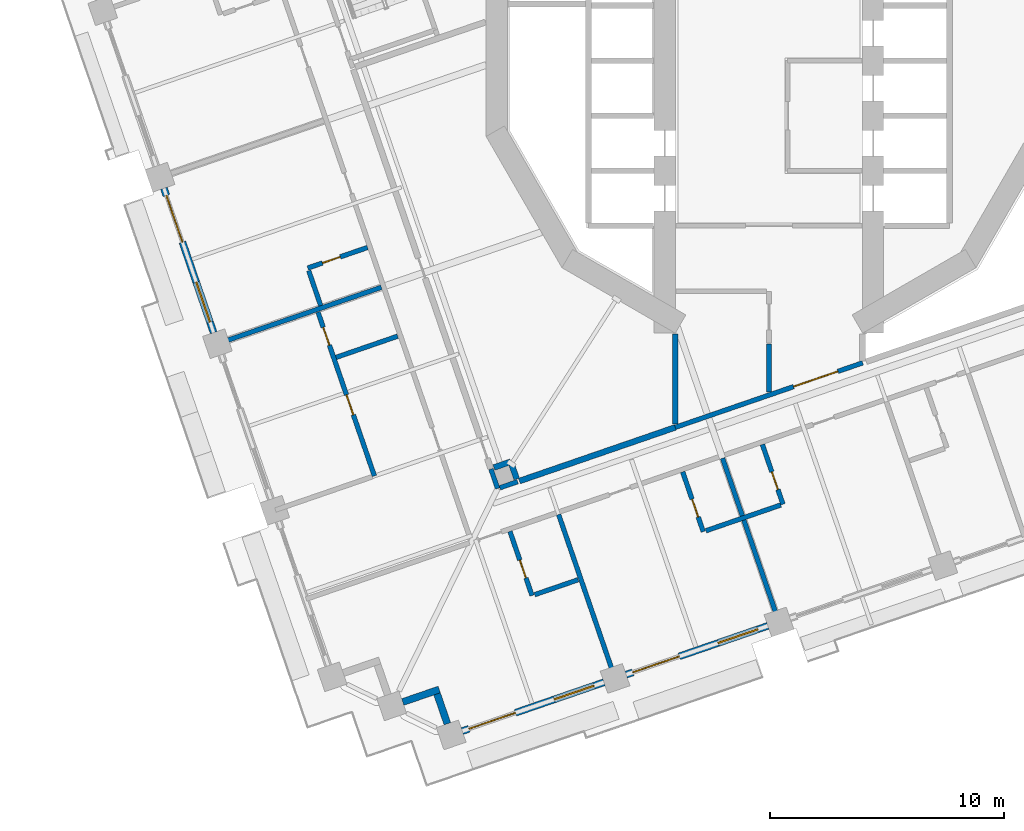
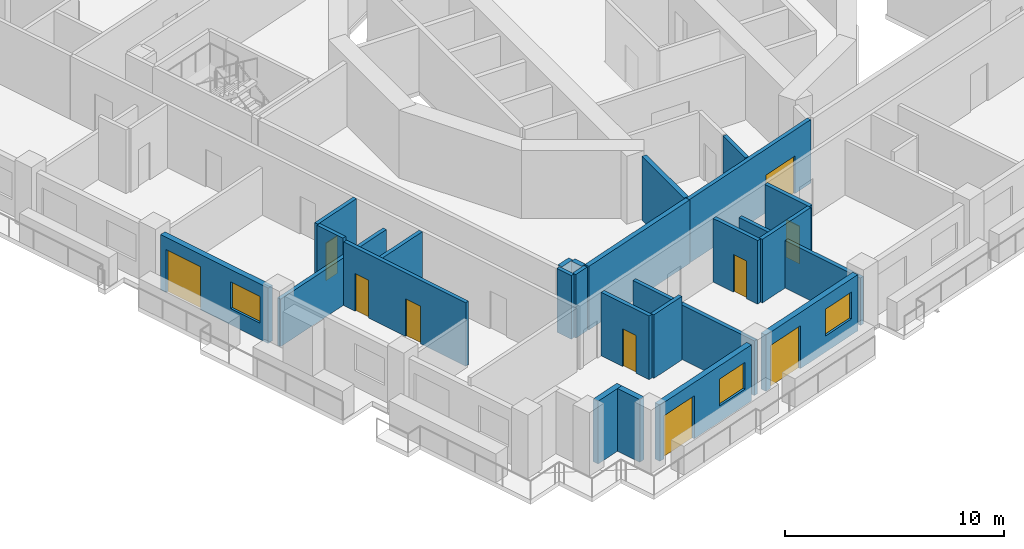
# One storey, part 8 of 22: 25 walls, 10 doors, 3 windows, 13 openings.
"""IFC4 building model written with IfcOpenShell, lengths in metres."""

from ifc_helpers import new_model, si_unit, direction, frame, frame_2d, origin, place, context, subcontext, project, spatial, rectangle, extrude, material, layer, layer_set, type_object, element, fill, save


model = new_model("IFC4")

# Units and contexts
model_context = context("Model", 3, precision=1e-05, world=origin(), true_north=direction((0.0, 1.0)))
body_context = subcontext(model_context, "Body", "Model", "MODEL_VIEW")
ifc_project = project(units=[si_unit("LENGTHUNIT", "METRE"), si_unit("AREAUNIT", "SQUARE_METRE"), si_unit("VOLUMEUNIT", "CUBIC_METRE"), si_unit("PLANEANGLEUNIT", "RADIAN"), si_unit("MASSUNIT", "GRAM", prefix="KILO")], contexts=[model_context])

# Site, building, storey
site_placement = place(None, origin())
site = spatial("IfcSite", under=ifc_project, at=site_placement, CompositionType="ELEMENT")
building_placement = place(site_placement, origin())
building = spatial("IfcBuilding", under=site, at=building_placement, Name="Cantera Rosa Tower", CompositionType="ELEMENT")
storey_placement = place(building_placement, frame((0.0, 0.0, 115.5)))
storey = spatial("IfcBuildingStorey", under=building, at=storey_placement, Name="L23", CompositionType="ELEMENT", Elevation=115.5)

# Walls
ifc_material_1 = material(Name="Gypsum board partition")
ifc_layer_1 = layer(ifc_material_1, 0.199951171875)
ifc_layer_set_1 = layer_set([ifc_layer_1], Name="CORRIDOR WALL 200 H3550")
wall_type_1 = type_object("IfcWallType", Name="CORRIDOR WALL 200 H3550", PredefinedType="PARTITIONING", material=ifc_layer_set_1)
wall_1_placement = place(storey_placement, frame((-11.87060546875, -17.4345703125, 0.0), z_axis=(0.0, 0.0, 1.0), x_axis=(0.325699973339, -0.94547317644, 0.0)))
element("IfcWall", 1, at=wall_1_placement, inside=storey, type_object=wall_type_1, Name="CORRIDOR WALL L23-030", PredefinedType="PARTITIONING", context=body_context, shape_type="SweptSolid", body=[
    extrude(rectangle(XDim=0.880126953125, YDim=0.199951171875, at=frame_2d((0.43994140625, 0.0))), origin(), (0.0, 0.0, 1.0), 3.550048828125),
])
wall_2_placement = place(storey_placement, frame((-11.489501953125, -18.23388671875, 0.0), z_axis=(0.0, 0.0, 1.0), x_axis=(0.945586856903, 0.325369783557, 0.0)))
element("IfcWall", 2, at=wall_2_placement, inside=storey, type_object=wall_type_1, Name="CORRIDOR WALL L23-031", PredefinedType="PARTITIONING", context=body_context, shape_type="SweptSolid", body=[
    extrude(rectangle(XDim=0.7998046875, YDim=0.199951171875, at=frame_2d((0.39990234375, 0.0))), origin(), (0.0, 0.0, 1.0), 3.550048828125),
])

# Wall, opening, door
wall_3_placement = place(storey_placement, frame((-4.0, -15.6552734375, 0.0), z_axis=(0.0, 0.0, 1.0), x_axis=(0.945517929243, 0.325570031606, 0.0)))
wall_3 = element("IfcWall", 3, at=wall_3_placement, inside=storey, type_object=wall_type_1, Name="CORRIDOR WALL L23-048", PredefinedType="PARTITIONING", context=body_context, shape_type="SweptSolid", body=[
    extrude(rectangle(XDim=8.4609375, YDim=0.199951171875, at=frame_2d((4.23046875, 0.0))), origin(), (0.0, 0.0, 1.0), 3.550048828125),
])
opening_1_placement = place(wall_3_placement, frame((5.345703125, 0.0, 0.0)))
opening_1 = element("IfcOpeningElement", 4, at=opening_1_placement, cuts=wall_3, Name="Opening L23-009", PredefinedType="OPENING", context=body_context, shape_type="SweptSolid", body=[
    extrude(rectangle(XDim=2.0, YDim=2.10009765625, at=frame_2d((1.0, 1.050048828125))), frame((0.0, 0.10986328125, 0.0), z_axis=(0.0, -1.0, 0.0), x_axis=(1.0, 0.0, 0.0)), (0.0, 0.0, 1.0), 0.219970703125),
])
ifc_material_2 = material(Name="Steel S355J2 (EN 10025-2)", Category="steel")
door_type_1 = type_object("IfcDoorType", Name="LOBBY SCREEN DOOR 2000x2100", OperationType="NOTDEFINED", PredefinedType="DOOR", material=ifc_material_2)
door_1_placement = place(opening_1_placement, origin())
door_1 = element("IfcDoor", 5, at=door_1_placement, inside=storey, type_object=door_type_1, Name="DOOR L23-009", OperationType="NOTDEFINED", OverallHeight=2.10009765625, OverallWidth=2.0, PredefinedType="DOOR", context=body_context, shape_type="SweptSolid", body=[
    extrude(rectangle(XDim=2.0, YDim=2.10009765625, at=frame_2d((1.0, 1.050048828125))), frame((0.0, 0.02490234375, 0.0), z_axis=(0.0, -1.0, 0.0), x_axis=(1.0, 0.0, 0.0)), (0.0, 0.0, 1.0), 0.050048828125),
])
fill(opening_1, door_1)

# Walls
wall_4_placement = place(storey_placement, frame((0.0, -14.137939453125, 0.0), z_axis=(0.0, 0.0, 1.0), x_axis=(0.0, 1.0, 0.0)))
element("IfcWall", 6, at=wall_4_placement, inside=storey, type_object=wall_type_1, Name="CORRIDOR WALL L23-060", PredefinedType="PARTITIONING", context=body_context, shape_type="SweptSolid", body=[
    extrude(rectangle(XDim=2.033935546875, YDim=0.199951171875, at=frame_2d((1.01708984375, 0.0))), origin(), (0.0, 0.0, 1.0), 3.550048828125),
])
ifc_material_3 = material(Name="Hollow clay masonry with cantera stone cladding", Category="masonry")
ifc_layer_2 = layer(ifc_material_3, 0.300048828125)
ifc_layer_set_2 = layer_set([ifc_layer_2], Name="EW-LOGGIA 300")
wall_type_2 = type_object("IfcWallType", Name="EW-LOGGIA 300", PredefinedType="SOLIDWALL", material=ifc_layer_set_2)
wall_5_placement = place(storey_placement, frame((-15.636962890625, -27.3828125, 0.0), z_axis=(0.0, 0.0, 1.0), x_axis=(0.945484566827, 0.325666906351, 0.0)))
element("IfcWall", 7, at=wall_5_placement, inside=storey, type_object=wall_type_2, Name="EN-L23-W22a", PredefinedType="SOLIDWALL", context=body_context, shape_type="SweptSolid", body=[
    extrude(rectangle(XDim=1.64990234375, YDim=0.300048828125, at=frame_2d((0.824951171875, 0.0))), origin(), (0.0, 0.0, 1.0), 3.5),
])
wall_6_placement = place(storey_placement, frame((-14.169921875, -27.0361328125, 0.0), z_axis=(0.0, 0.0, 1.0), x_axis=(0.325650742363, -0.945490134268, 0.0)))
element("IfcWall", 8, at=wall_6_placement, inside=storey, type_object=wall_type_2, Name="EN-L23-W22b", PredefinedType="SOLIDWALL", context=body_context, shape_type="SweptSolid", body=[
    extrude(rectangle(XDim=1.35009765625, YDim=0.300048828125, at=frame_2d((0.675048828125, 0.0))), origin(), (0.0, 0.0, 1.0), 3.5),
])

# Wall, openings, window, door
ifc_material_4 = material(Name="Hollow clay masonry with cantera stone cladding", Category="masonry")
ifc_layer_3 = layer(ifc_material_4, 0.300048828125)
ifc_layer_set_3 = layer_set([ifc_layer_3], Name="EW-LOGGIA 300 H3090")
wall_type_3 = type_object("IfcWallType", Name="EW-LOGGIA 300 H3090", PredefinedType="SOLIDWALL", material=ifc_layer_set_3)
wall_7_placement = place(storey_placement, frame((-25.833984375, -5.447509765625, 0.0), z_axis=(0.0, 0.0, 1.0), x_axis=(0.325580990241, -0.945514155787, 0.0)))
wall_7 = element("IfcWall", 9, at=wall_7_placement, inside=storey, type_object=wall_type_3, Name="EN-L23-W18", PredefinedType="SOLIDWALL", context=body_context, shape_type="SweptSolid", body=[
    extrude(rectangle(XDim=6.52001953125, YDim=0.300048828125, at=frame_2d((3.260009765625, 0.0))), origin(), (0.0, 0.0, 1.0), 3.090087890625),
])
opening_2_placement = place(wall_7_placement, frame((0.330078125, 0.0, 0.0)))
opening_2 = element("IfcOpeningElement", 10, at=opening_2_placement, cuts=wall_7, Name="Opening L23-TD23", PredefinedType="OPENING", context=body_context, shape_type="SweptSolid", body=[
    extrude(rectangle(XDim=2.10009765625, YDim=2.39990234375, at=frame_2d((1.050048828125, 1.199951171875))), frame((0.0, 0.159912109375, 0.0), z_axis=(0.0, -1.0, 0.0), x_axis=(1.0, 0.0, 0.0)), (0.0, 0.0, 1.0), 0.320068359375),
])
opening_3_placement = place(wall_7_placement, frame((4.239990234375, 0.0, 0.89990234375)))
opening_3 = element("IfcOpeningElement", 11, at=opening_3_placement, cuts=wall_7, Name="Opening L23-W24", PredefinedType="OPENING", context=body_context, shape_type="SweptSolid", body=[
    extrude(rectangle(XDim=1.800048828125, YDim=1.5, at=frame_2d((0.89990234375, 0.75))), frame((0.0, 0.159912109375, 0.0), z_axis=(0.0, -1.0, 0.0), x_axis=(1.0, 0.0, 0.0)), (0.0, 0.0, 1.0), 0.320068359375),
])
ifc_material_5 = material(Name="Aluminium frame with clear glass", Category="aluminium")
window_type = type_object("IfcWindowType", Name="Hotel room window 1800x1500", PartitioningType="DOUBLE_PANEL_VERTICAL", PredefinedType="WINDOW", material=ifc_material_5)
window_1_placement = place(opening_3_placement, origin())
window_1 = element("IfcWindow", 12, at=window_1_placement, inside=storey, type_object=window_type, Name="WINDOW L23-W24", OverallHeight=1.5, OverallWidth=1.800048828125, PartitioningType="SINGLE_PANEL", PredefinedType="WINDOW", context=body_context, shape_type="SweptSolid", body=[
    extrude(rectangle(XDim=1.800048828125, YDim=1.5, at=frame_2d((0.89990234375, 0.75))), frame((0.0, 0.030029296875, 0.0), z_axis=(0.0, -1.0, 0.0), x_axis=(1.0, 0.0, 0.0)), (0.0, 0.0, 1.0), 0.06005859375),
])
fill(opening_3, window_1)
ifc_material_6 = material(Name="Aluminium frame with clear glass", Category="aluminium")
door_type_2 = type_object("IfcDoorType", Name="TD-H 2100x2400", OperationType="NOTDEFINED", PredefinedType="DOOR", material=ifc_material_6)
door_2_placement = place(opening_2_placement, origin())
door_2 = element("IfcDoor", 13, at=door_2_placement, inside=storey, type_object=door_type_2, Name="LOGGIA DOOR L23-TD23", OperationType="SLIDING_TO_LEFT", OverallHeight=2.39990234375, OverallWidth=2.10009765625, PredefinedType="DOOR", context=body_context, shape_type="SweptSolid", body=[
    extrude(rectangle(XDim=2.10009765625, YDim=2.39990234375, at=frame_2d((1.050048828125, 1.199951171875))), frame((0.0, 0.02490234375, 0.0), z_axis=(0.0, -1.0, 0.0), x_axis=(1.0, 0.0, 0.0)), (0.0, 0.0, 1.0), 0.050048828125),
])
fill(opening_2, door_2)

ifc_material_7 = material(Name="Hollow clay masonry with cantera stone cladding", Category="masonry")
ifc_layer_4 = layer(ifc_material_7, 0.300048828125)
ifc_layer_set_4 = layer_set([ifc_layer_4], Name="EW-LOGGIA 300 H3140")
wall_type_4 = type_object("IfcWallType", Name="EW-LOGGIA 300 H3140", PredefinedType="SOLIDWALL", material=ifc_layer_set_4)
wall_8_placement = place(storey_placement, frame((-13.0947265625, -28.62255859375, 0.0), z_axis=(0.0, 0.0, 1.0), x_axis=(0.945524496524, 0.325550958337, 0.0)))
wall_8 = element("IfcWall", 14, at=wall_8_placement, inside=storey, type_object=wall_type_4, Name="EN-L23-W23", PredefinedType="SOLIDWALL", context=body_context, shape_type="SweptSolid", body=[
    extrude(rectangle(XDim=6.39990234375, YDim=0.300048828125, at=frame_2d((3.199951171875, 0.0))), origin(), (0.0, 0.0, 1.0), 3.139892578125),
])
opening_4_placement = place(wall_8_placement, frame((0.300048828125, 0.0, 0.0)))
opening_4 = element("IfcOpeningElement", 15, at=opening_4_placement, cuts=wall_8, Name="Opening L23-TD29", PredefinedType="OPENING", context=body_context, shape_type="SweptSolid", body=[
    extrude(rectangle(XDim=2.10009765625, YDim=2.39990234375, at=frame_2d((1.050048828125, 1.199951171875))), frame((0.0, 0.159912109375, 0.0), z_axis=(0.0, -1.0, 0.0), x_axis=(1.0, 0.0, 0.0)), (0.0, 0.0, 1.0), 0.320068359375),
])
opening_5_placement = place(wall_8_placement, frame((4.14990234375, 0.0, 0.89990234375)))
opening_5 = element("IfcOpeningElement", 16, at=opening_5_placement, cuts=wall_8, Name="Opening L23-W30", PredefinedType="OPENING", context=body_context, shape_type="SweptSolid", body=[
    extrude(rectangle(XDim=1.800048828125, YDim=1.5, at=frame_2d((0.89990234375, 0.75))), frame((0.0, 0.159912109375, 0.0), z_axis=(0.0, -1.0, 0.0), x_axis=(1.0, 0.0, 0.0)), (0.0, 0.0, 1.0), 0.320068359375),
])
window_2_placement = place(opening_5_placement, origin())
window_2 = element("IfcWindow", 17, at=window_2_placement, inside=storey, type_object=window_type, Name="WINDOW L23-W30", OverallHeight=1.5, OverallWidth=1.800048828125, PartitioningType="SINGLE_PANEL", PredefinedType="WINDOW", context=body_context, shape_type="SweptSolid", body=[
    extrude(rectangle(XDim=1.800048828125, YDim=1.5, at=frame_2d((0.89990234375, 0.75))), frame((0.0, 0.030029296875, 0.0), z_axis=(0.0, -1.0, 0.0), x_axis=(1.0, 0.0, 0.0)), (0.0, 0.0, 1.0), 0.06005859375),
])
fill(opening_5, window_2)
door_3_placement = place(opening_4_placement, origin())
door_3 = element("IfcDoor", 18, at=door_3_placement, inside=storey, type_object=door_type_2, Name="LOGGIA DOOR L23-TD29", OperationType="SLIDING_TO_LEFT", OverallHeight=2.39990234375, OverallWidth=2.10009765625, PredefinedType="DOOR", context=body_context, shape_type="SweptSolid", body=[
    extrude(rectangle(XDim=2.10009765625, YDim=2.39990234375, at=frame_2d((1.050048828125, 1.199951171875))), frame((0.0, 0.02490234375, 0.0), z_axis=(0.0, -1.0, 0.0), x_axis=(1.0, 0.0, 0.0)), (0.0, 0.0, 1.0), 0.050048828125),
])
fill(opening_4, door_3)

wall_9_placement = place(storey_placement, frame((-6.097900390625, -26.21337890625, 0.0), z_axis=(0.0, 0.0, 1.0), x_axis=(0.945524496524, 0.325550958337, 0.0)))
wall_9 = element("IfcWall", 19, at=wall_9_placement, inside=storey, type_object=wall_type_4, Name="EN-L23-W24", PredefinedType="SOLIDWALL", context=body_context, shape_type="SweptSolid", body=[
    extrude(rectangle(XDim=6.39990234375, YDim=0.300048828125, at=frame_2d((3.199951171875, 0.0))), origin(), (0.0, 0.0, 1.0), 3.139892578125),
])
opening_6_placement = place(wall_9_placement, frame((0.300048828125, 0.0, 0.0)))
opening_6 = element("IfcOpeningElement", 20, at=opening_6_placement, cuts=wall_9, Name="Opening L23-TD31", PredefinedType="OPENING", context=body_context, shape_type="SweptSolid", body=[
    extrude(rectangle(XDim=2.10009765625, YDim=2.39990234375, at=frame_2d((1.050048828125, 1.199951171875))), frame((0.0, 0.159912109375, 0.0), z_axis=(0.0, -1.0, 0.0), x_axis=(1.0, 0.0, 0.0)), (0.0, 0.0, 1.0), 0.320068359375),
])
opening_7_placement = place(wall_9_placement, frame((4.14990234375, 0.0, 0.89990234375)))
opening_7 = element("IfcOpeningElement", 21, at=opening_7_placement, cuts=wall_9, Name="Opening L23-W32", PredefinedType="OPENING", context=body_context, shape_type="SweptSolid", body=[
    extrude(rectangle(XDim=1.800048828125, YDim=1.5, at=frame_2d((0.89990234375, 0.75))), frame((0.0, 0.159912109375, 0.0), z_axis=(0.0, -1.0, 0.0), x_axis=(1.0, 0.0, 0.0)), (0.0, 0.0, 1.0), 0.320068359375),
])
window_3_placement = place(opening_7_placement, origin())
window_3 = element("IfcWindow", 22, at=window_3_placement, inside=storey, type_object=window_type, Name="WINDOW L23-W32", OverallHeight=1.5, OverallWidth=1.800048828125, PartitioningType="SINGLE_PANEL", PredefinedType="WINDOW", context=body_context, shape_type="SweptSolid", body=[
    extrude(rectangle(XDim=1.800048828125, YDim=1.5, at=frame_2d((0.89990234375, 0.75))), frame((0.0, 0.030029296875, 0.0), z_axis=(0.0, -1.0, 0.0), x_axis=(1.0, 0.0, 0.0)), (0.0, 0.0, 1.0), 0.06005859375),
])
fill(opening_7, window_3)
door_4_placement = place(opening_6_placement, origin())
door_4 = element("IfcDoor", 23, at=door_4_placement, inside=storey, type_object=door_type_2, Name="LOGGIA DOOR L23-TD31", OperationType="SLIDING_TO_LEFT", OverallHeight=2.39990234375, OverallWidth=2.10009765625, PredefinedType="DOOR", context=body_context, shape_type="SweptSolid", body=[
    extrude(rectangle(XDim=2.10009765625, YDim=2.39990234375, at=frame_2d((1.050048828125, 1.199951171875))), frame((0.0, 0.02490234375, 0.0), z_axis=(0.0, -1.0, 0.0), x_axis=(1.0, 0.0, 0.0)), (0.0, 0.0, 1.0), 0.050048828125),
])
fill(opening_6, door_4)

# Wall, opening, door
ifc_material_8 = material(Name="Gypsum board partition")
ifc_layer_5 = layer(ifc_material_8, 0.199951171875)
ifc_layer_set_5 = layer_set([ifc_layer_5], Name="PARTITION 200 H3550")
wall_type_5 = type_object("IfcWallType", Name="PARTITION 200 H3550", PredefinedType="PARTITIONING", material=ifc_layer_set_5)
wall_10_placement = place(storey_placement, frame((-19.6904296875, -8.852783203125, 0.0), z_axis=(0.0, 0.0, 1.0), x_axis=(0.945526634763, 0.325544748006, 0.0)))
wall_10 = element("IfcWall", 24, at=wall_10_placement, inside=storey, type_object=wall_type_5, Name="PARTITION L23-013", PredefinedType="PARTITIONING", context=body_context, shape_type="SweptSolid", body=[
    extrude(rectangle(XDim=2.69970703125, YDim=0.199951171875, at=frame_2d((1.349853515625, 0.0))), origin(), (0.0, 0.0, 1.0), 3.550048828125),
])
opening_8_placement = place(wall_10_placement, frame((0.6640625, 0.0, 0.0)))
opening_8 = element("IfcOpeningElement", 25, at=opening_8_placement, cuts=wall_10, Name="Opening L23-030", PredefinedType="OPENING", context=body_context, shape_type="SweptSolid", body=[
    extrude(rectangle(XDim=0.800048828125, YDim=2.10009765625, at=frame_2d((0.39990234375, 1.050048828125))), frame((0.0, 0.10986328125, 0.0), z_axis=(0.0, -1.0, 0.0), x_axis=(1.0, 0.0, 0.0)), (0.0, 0.0, 1.0), 0.219970703125),
])
ifc_material_9 = material(Name="Timber door leaf", Category="wood")
door_type_3 = type_object("IfcDoorType", Name="BATHROOM DOOR 800x2100", OperationType="NOTDEFINED", PredefinedType="DOOR", material=ifc_material_9)
door_5_placement = place(opening_8_placement, origin())
door_5 = element("IfcDoor", 26, at=door_5_placement, inside=storey, type_object=door_type_3, Name="DOOR L23-030", OperationType="NOTDEFINED", OverallHeight=2.10009765625, OverallWidth=0.800048828125, PredefinedType="DOOR", context=body_context, shape_type="SweptSolid", body=[
    extrude(rectangle(XDim=0.800048828125, YDim=2.10009765625, at=frame_2d((0.39990234375, 1.050048828125))), frame((0.0, 0.02490234375, 0.0), z_axis=(0.0, -1.0, 0.0), x_axis=(1.0, 0.0, 0.0)), (0.0, 0.0, 1.0), 0.050048828125),
])
fill(opening_8, door_5)

# Wall, openings, doors
wall_11_placement = place(storey_placement, frame((-19.25439453125, -10.7333984375, 0.0), z_axis=(0.0, 0.0, 1.0), x_axis=(0.325565645331, -0.945519439557, 0.0)))
wall_11 = element("IfcWall", 27, at=wall_11_placement, inside=storey, type_object=wall_type_5, Name="PARTITION L23-014", PredefinedType="PARTITIONING", context=body_context, shape_type="SweptSolid", body=[
    extrude(rectangle(XDim=7.39990234375, YDim=0.199951171875, at=frame_2d((3.699951171875, 0.0))), origin(), (0.0, 0.0, 1.0), 3.550048828125),
])
opening_9_placement = place(wall_11_placement, frame((3.739990234375, 0.0, 0.0)))
opening_9 = element("IfcOpeningElement", 28, at=opening_9_placement, cuts=wall_11, Name="Opening L23-032", PredefinedType="OPENING", context=body_context, shape_type="SweptSolid", body=[
    extrude(rectangle(XDim=0.89990234375, YDim=2.10009765625, at=frame_2d((0.449951171875, 1.050048828125))), frame((0.0, 0.10986328125, 0.0), z_axis=(0.0, -1.0, 0.0), x_axis=(1.0, 0.0, 0.0)), (0.0, 0.0, 1.0), 0.219970703125),
])
opening_10_placement = place(wall_11_placement, frame((0.68994140625, 0.0, 0.0)))
opening_10 = element("IfcOpeningElement", 29, at=opening_10_placement, cuts=wall_11, Name="Opening L23-033", PredefinedType="OPENING", context=body_context, shape_type="SweptSolid", body=[
    extrude(rectangle(XDim=0.800048828125, YDim=2.10009765625, at=frame_2d((0.39990234375, 1.050048828125))), frame((0.0, 0.10986328125, 0.0), z_axis=(0.0, -1.0, 0.0), x_axis=(1.0, 0.0, 0.0)), (0.0, 0.0, 1.0), 0.219970703125),
])
door_6_placement = place(opening_10_placement, origin())
door_6 = element("IfcDoor", 30, at=door_6_placement, inside=storey, type_object=door_type_3, Name="DOOR L23-033", OperationType="NOTDEFINED", OverallHeight=2.10009765625, OverallWidth=0.800048828125, PredefinedType="DOOR", context=body_context, shape_type="SweptSolid", body=[
    extrude(rectangle(XDim=0.800048828125, YDim=2.10009765625, at=frame_2d((0.39990234375, 1.050048828125))), frame((0.0, 0.02490234375, 0.0), z_axis=(0.0, -1.0, 0.0), x_axis=(1.0, 0.0, 0.0)), (0.0, 0.0, 1.0), 0.050048828125),
])
fill(opening_10, door_6)
ifc_material_10 = material(Name="Timber door leaf", Category="wood")
door_type_4 = type_object("IfcDoorType", Name="ROOM DOOR 900x2100", OperationType="NOTDEFINED", PredefinedType="DOOR", material=ifc_material_10)
door_7_placement = place(opening_9_placement, origin())
door_7 = element("IfcDoor", 31, at=door_7_placement, inside=storey, type_object=door_type_4, Name="DOOR L23-032", OperationType="NOTDEFINED", OverallHeight=2.10009765625, OverallWidth=0.89990234375, PredefinedType="DOOR", context=body_context, shape_type="SweptSolid", body=[
    extrude(rectangle(XDim=0.89990234375, YDim=2.10009765625, at=frame_2d((0.449951171875, 1.050048828125))), frame((0.0, 0.02490234375, 0.0), z_axis=(0.0, -1.0, 0.0), x_axis=(1.0, 0.0, 0.0)), (0.0, 0.0, 1.0), 0.050048828125),
])
fill(opening_9, door_7)

# Walls
wall_12_placement = place(storey_placement, frame((-19.13720703125, -10.460205078125, 0.0), z_axis=(0.0, 0.0, 1.0), x_axis=(-0.325576351052, 0.945515753246, 0.0)))
element("IfcWall", 32, at=wall_12_placement, inside=storey, type_object=wall_type_5, Name="PARTITION L23-016", PredefinedType="PARTITIONING", context=body_context, shape_type="SweptSolid", body=[
    extrude(rectangle(XDim=1.580078125, YDim=0.199951171875, at=frame_2d((0.7900390625, 0.0))), origin(), (0.0, 0.0, 1.0), 3.550048828125),
])
wall_13_placement = place(storey_placement, frame((-15.854248046875, -11.762451171875, 0.0), z_axis=(0.0, 0.0, 1.0), x_axis=(-0.945528723608, -0.325538681008, 0.0)))
element("IfcWall", 33, at=wall_13_placement, inside=storey, type_object=wall_type_5, Name="PARTITION L23-024", PredefinedType="PARTITIONING", context=body_context, shape_type="SweptSolid", body=[
    extrude(rectangle(XDim=2.780029296875, YDim=0.199951171875, at=frame_2d((1.39013671875, 0.0))), origin(), (0.0, 0.0, 1.0), 3.550048828125),
])

# Wall, opening, door
wall_14_placement = place(storey_placement, frame((-10.115966796875, -22.837646484375, 0.0), z_axis=(0.0, 0.0, 1.0), x_axis=(-0.325557359554, 0.945522292514, 0.0)))
wall_14 = element("IfcWall", 34, at=wall_14_placement, inside=storey, type_object=wall_type_5, Name="PARTITION L23-036", PredefinedType="PARTITIONING", context=body_context, shape_type="SweptSolid", body=[
    extrude(rectangle(XDim=2.89990234375, YDim=0.199951171875, at=frame_2d((1.449951171875, 0.0))), origin(), (0.0, 0.0, 1.0), 3.550048828125),
])
opening_11_placement = place(wall_14_placement, frame((0.800048828125, 0.0, 0.0)))
opening_11 = element("IfcOpeningElement", 35, at=opening_11_placement, cuts=wall_14, Name="Opening L23-043", PredefinedType="OPENING", context=body_context, shape_type="SweptSolid", body=[
    extrude(rectangle(XDim=0.800048828125, YDim=2.10009765625, at=frame_2d((0.39990234375, 1.050048828125))), frame((0.0, 0.10986328125, 0.0), z_axis=(0.0, -1.0, 0.0), x_axis=(1.0, 0.0, 0.0)), (0.0, 0.0, 1.0), 0.219970703125),
])
door_8_placement = place(opening_11_placement, origin())
door_8 = element("IfcDoor", 36, at=door_8_placement, inside=storey, type_object=door_type_3, Name="DOOR L23-043", OperationType="NOTDEFINED", OverallHeight=2.10009765625, OverallWidth=0.800048828125, PredefinedType="DOOR", context=body_context, shape_type="SweptSolid", body=[
    extrude(rectangle(XDim=0.800048828125, YDim=2.10009765625, at=frame_2d((0.39990234375, 1.050048828125))), frame((0.0, 0.02490234375, 0.0), z_axis=(0.0, -1.0, 0.0), x_axis=(1.0, 0.0, 0.0)), (0.0, 0.0, 1.0), 0.050048828125),
])
fill(opening_11, door_8)

# Wall
wall_15_placement = place(storey_placement, frame((-8.149169921875, -22.160400390625, 0.0), z_axis=(0.0, 0.0, 1.0), x_axis=(-0.945510558394, -0.325591437181, 0.0)))
element("IfcWall", 37, at=wall_15_placement, inside=storey, type_object=wall_type_5, Name="PARTITION L23-037", PredefinedType="PARTITIONING", context=body_context, shape_type="SweptSolid", body=[
    extrude(rectangle(XDim=1.9599609375, YDim=0.199951171875, at=frame_2d((0.97998046875, 0.0))), origin(), (0.0, 0.0, 1.0), 3.550048828125),
])

# Wall, opening, door
wall_16_placement = place(storey_placement, frame((-2.805908203125, -20.109130859375, 0.0), z_axis=(0.0, 0.0, 1.0), x_axis=(-0.325597751787, 0.945508383903, 0.0)))
wall_16 = element("IfcWall", 38, at=wall_16_placement, inside=storey, type_object=wall_type_5, Name="PARTITION L23-053", PredefinedType="PARTITIONING", context=body_context, shape_type="SweptSolid", body=[
    extrude(rectangle(XDim=2.7001953125, YDim=0.199951171875, at=frame_2d((1.35009765625, 0.0))), origin(), (0.0, 0.0, 1.0), 3.550048828125),
])
opening_12_placement = place(wall_16_placement, frame((0.6640625, 0.0, 0.0)))
opening_12 = element("IfcOpeningElement", 39, at=opening_12_placement, cuts=wall_16, Name="Opening L23-036", PredefinedType="OPENING", context=body_context, shape_type="SweptSolid", body=[
    extrude(rectangle(XDim=0.800048828125, YDim=2.10009765625, at=frame_2d((0.39990234375, 1.050048828125))), frame((0.0, 0.10986328125, 0.0), z_axis=(0.0, -1.0, 0.0), x_axis=(1.0, 0.0, 0.0)), (0.0, 0.0, 1.0), 0.219970703125),
])
door_9_placement = place(opening_12_placement, origin())
door_9 = element("IfcDoor", 40, at=door_9_placement, inside=storey, type_object=door_type_3, Name="DOOR L23-036", OperationType="NOTDEFINED", OverallHeight=2.10009765625, OverallWidth=0.800048828125, PredefinedType="DOOR", context=body_context, shape_type="SweptSolid", body=[
    extrude(rectangle(XDim=0.800048828125, YDim=2.10009765625, at=frame_2d((0.39990234375, 1.050048828125))), frame((0.0, 0.02490234375, 0.0), z_axis=(0.0, -1.0, 0.0), x_axis=(1.0, 0.0, 0.0)), (0.0, 0.0, 1.0), 0.050048828125),
])
fill(opening_12, door_9)

wall_17_placement = place(storey_placement, frame((-0.28125, -16.38427734375, 0.0), z_axis=(0.0, 0.0, 1.0), x_axis=(0.325625589912, -0.945498797035, 0.0)))
wall_17 = element("IfcWall", 41, at=wall_17_placement, inside=storey, type_object=wall_type_5, Name="PARTITION L23-059", PredefinedType="PARTITIONING", context=body_context, shape_type="SweptSolid", body=[
    extrude(rectangle(XDim=2.699951171875, YDim=0.199951171875, at=frame_2d((1.35009765625, 0.0))), origin(), (0.0, 0.0, 1.0), 3.550048828125),
])
opening_13_placement = place(wall_17_placement, frame((1.236083984375, 0.0, 0.0)))
opening_13 = element("IfcOpeningElement", 42, at=opening_13_placement, cuts=wall_17, Name="Opening L23-038", PredefinedType="OPENING", context=body_context, shape_type="SweptSolid", body=[
    extrude(rectangle(XDim=0.800048828125, YDim=2.10009765625, at=frame_2d((0.39990234375, 1.050048828125))), frame((0.0, 0.10986328125, 0.0), z_axis=(0.0, -1.0, 0.0), x_axis=(1.0, 0.0, 0.0)), (0.0, 0.0, 1.0), 0.219970703125),
])
door_10_placement = place(opening_13_placement, origin())
door_10 = element("IfcDoor", 43, at=door_10_placement, inside=storey, type_object=door_type_3, Name="DOOR L23-038", OperationType="NOTDEFINED", OverallHeight=2.10009765625, OverallWidth=0.800048828125, PredefinedType="DOOR", context=body_context, shape_type="SweptSolid", body=[
    extrude(rectangle(XDim=0.800048828125, YDim=2.10009765625, at=frame_2d((0.39990234375, 1.050048828125))), frame((0.0, 0.02490234375, 0.0), z_axis=(0.0, -1.0, 0.0), x_axis=(1.0, 0.0, 0.0)), (0.0, 0.0, 1.0), 0.050048828125),
])
fill(opening_13, door_10)

# Walls
wall_18_placement = place(storey_placement, frame((0.50341796875, -18.969482421875, 0.0), z_axis=(0.0, 0.0, 1.0), x_axis=(-0.945501863909, -0.325616684683, 0.0)))
element("IfcWall", 44, at=wall_18_placement, inside=storey, type_object=wall_type_5, Name="PARTITION L23-063", PredefinedType="PARTITIONING", context=body_context, shape_type="SweptSolid", body=[
    extrude(rectangle(XDim=3.3798828125, YDim=0.199951171875, at=frame_2d((1.68994140625, 0.0))), origin(), (0.0, 0.0, 1.0), 3.550048828125),
])
ifc_material_11 = material(Name="Gypsum board partition")
ifc_layer_6 = layer(ifc_material_11, 0.199951171875)
ifc_layer_set_6 = layer_set([ifc_layer_6], Name="PARTY WALL 200 H2650")
wall_type_6 = type_object("IfcWallType", Name="PARTY WALL 200 H2650", PredefinedType="PARTITIONING", material=ifc_layer_set_6)
for number, where, z_axis, x_axis, name in (
    (45, (-16.551513671875, -9.67578125, 0.0), (0.0, 0.0, 1.0), (-0.945520034471, -0.325563917555, 0.0), "PARTY WALL L23-022"),
    (46, (-1.983154296875, -16.97021484375, 0.0), (0.0, 0.0, 1.0), (0.325563917555, -0.945520034471, 0.0), "PARTY WALL L23-056"),
):
    element("IfcWall", number, at=place(storey_placement, frame(where, z_axis=z_axis, x_axis=x_axis)), inside=storey, type_object=wall_type_6, Name=name, PredefinedType="PARTITIONING", context=body_context, shape_type="SweptSolid", body=[
        extrude(rectangle(XDim=7.3701171875, YDim=0.199951171875, at=frame_2d((3.68505859375, 0.0))), origin(), (0.0, 0.0, 1.0), 2.64990234375),
    ])
ifc_material_12 = material(Name="Gypsum board partition")
ifc_layer_7 = layer(ifc_material_12, 0.199951171875)
ifc_layer_set_7 = layer_set([ifc_layer_7], Name="PARTY WALL 200 H3050")
wall_type_7 = type_object("IfcWallType", Name="PARTY WALL 200 H3050", PredefinedType="PARTITIONING", material=ifc_layer_set_7)
wall_19_placement = place(storey_placement, frame((-6.58056640625, -26.347900390625, 0.0), z_axis=(0.0, 0.0, 1.0), x_axis=(-0.325563917555, 0.945520034471, 0.0)))
element("IfcWall", 47, at=wall_19_placement, inside=storey, type_object=wall_type_7, Name="PARTY WALL L23-045", PredefinedType="PARTITIONING", context=body_context, shape_type="SweptSolid", body=[
    extrude(rectangle(XDim=7.3701171875, YDim=0.199951171875, at=frame_2d((3.68505859375, 0.0))), origin(), (0.0, 0.0, 1.0), 3.050048828125),
])
ifc_material_13 = material(Name="Masonry blockwork", Category="masonry")
ifc_layer_8 = layer(ifc_material_13, 0.25)
ifc_layer_set_8 = layer_set([ifc_layer_8], Name="SHAFT WALL 250 H3550")
wall_type_8 = type_object("IfcWallType", Name="SHAFT WALL 250 H3550", PredefinedType="SOLIDWALL", material=ifc_layer_set_8)
wall_20_placement = place(storey_placement, frame((-11.026123046875, -17.12255859375, 0.0), z_axis=(0.0, 0.0, 1.0), x_axis=(-0.945454887276, -0.32575306004, 0.0)))
element("IfcWall", 48, at=wall_20_placement, inside=storey, type_object=wall_type_8, Name="SHAFT WALL L23-033", PredefinedType="SOLIDWALL", context=body_context, shape_type="SweptSolid", body=[
    extrude(rectangle(XDim=0.760009765625, YDim=0.25, at=frame_2d((0.3798828125, 0.0))), origin(), (0.0, 0.0, 1.0), 3.550048828125),
])
wall_21_placement = place(storey_placement, frame((-10.772216796875, -17.860107421875, 0.0), z_axis=(0.0, 0.0, 1.0), x_axis=(-0.325708576696, 0.945470212681, 0.0)))
element("IfcWall", 49, at=wall_21_placement, inside=storey, type_object=wall_type_8, Name="SHAFT WALL L23-034", PredefinedType="SOLIDWALL", context=body_context, shape_type="SweptSolid", body=[
    extrude(rectangle(XDim=0.64013671875, YDim=0.25, at=frame_2d((0.320068359375, 0.0))), origin(), (0.0, 0.0, 1.0), 3.550048828125),
])
wall_22_placement = place(storey_placement, frame((-10.657470703125, -17.947509765625, 0.0), z_axis=(0.0, 0.0, 1.0), x_axis=(0.945523588785, 0.325553594745, 0.0)))
element("IfcWall", 50, at=wall_22_placement, inside=storey, type_object=wall_type_8, Name="SHAFT WALL L23-035", PredefinedType="SOLIDWALL", context=body_context, shape_type="SweptSolid", body=[
    extrude(rectangle(XDim=7.041015625, YDim=0.25, at=frame_2d((3.5205078125, 0.0))), origin(), (0.0, 0.0, 1.0), 3.550048828125),
])
wall_23_placement = place(storey_placement, frame((-4.0, -11.667236328125, 0.0), z_axis=(0.0, 0.0, 1.0), x_axis=(0.0, -1.0, 0.0)))
element("IfcWall", 51, at=wall_23_placement, inside=storey, type_object=wall_type_8, Name="SHAFT WALL L23-049", PredefinedType="SOLIDWALL", context=body_context, shape_type="SweptSolid", body=[
    extrude(rectangle(XDim=3.847900390625, YDim=0.25, at=frame_2d((1.923828125, 0.0))), origin(), (0.0, 0.0, 1.0), 3.550048828125),
])

save(model, "model.ifc")
